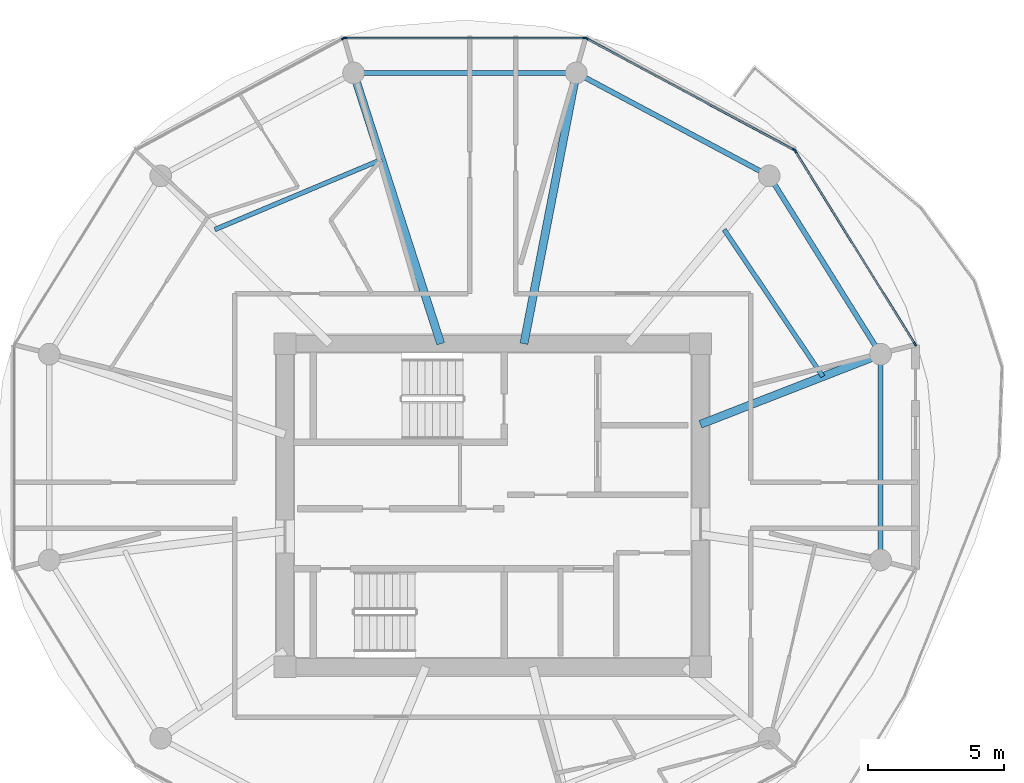
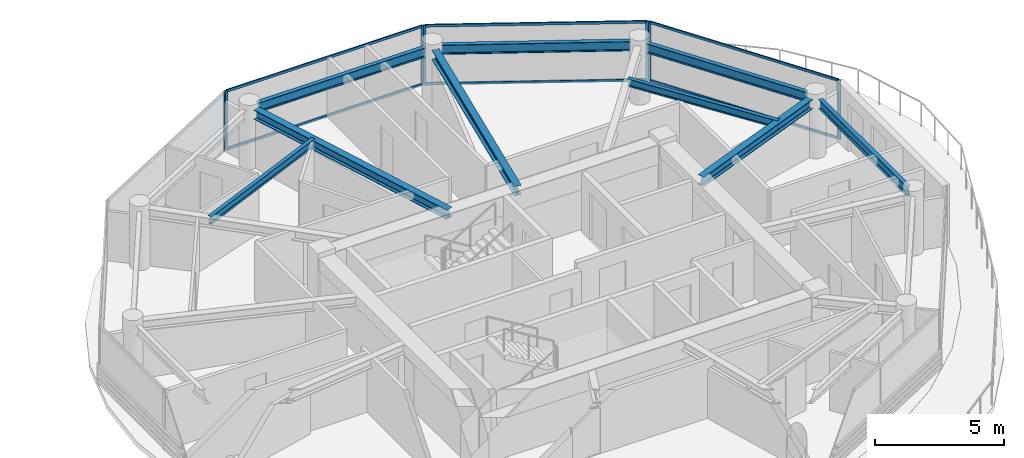
# One storey, part 11 of 23: 13 members, 9 beams, 4 elements without a shape of their own.
"""IFC4 building model written with IfcOpenShell, lengths in metres."""

import ifcopenshell
import ifcopenshell.guid

model = None  # the IFC model being written
_history = None  # IfcOwnerHistory: only IFC2X3 demands one
_inside = {}  # id of a spatial element -> (the spatial element, [elements in it])
_under = {}  # id of a project, library or spatial element -> (it, [spatial elements below it])
_declared = {}  # id of a project -> (the project, [libraries it declares])
_typed = {}  # id of a type object -> (the type object, [elements of that type])
_made_of = {}  # id of a material, layer set ... -> (it, [elements and type objects made of it])


def new_model(schema):
    """Start an empty IFC model of exactly this schema.

    Asked for "IFC4X3", IfcOpenShell would pick the latest addendum, in which some entities
    have other attributes; the version numbers below select the first issue.
    IFC2X3 requires an IfcOwnerHistory on every rooted entity: one is made here for all.
    """
    global model, _history
    if schema == "IFC4X3":
        model = ifcopenshell.file(schema_version=(4, 3, 0, 0))
    else:
        model = ifcopenshell.file(schema=schema)
    _inside.clear()
    _under.clear()
    _declared.clear()
    _typed.clear()
    _made_of.clear()
    _history = None
    if model.schema == "IFC2X3":
        org = make("IfcOrganization", Name="unknown")
        user = make(
            "IfcPersonAndOrganization",
            ThePerson=make("IfcPerson", FamilyName="unknown"),
            TheOrganization=org,
        )
        app = make(
            "IfcApplication",
            ApplicationDeveloper=org,
            Version="unknown",
            ApplicationFullName="unknown",
            ApplicationIdentifier="unknown",
        )
        _history = make(
            "IfcOwnerHistory",
            OwningUser=user,
            OwningApplication=app,
            ChangeAction="ADDED",
            CreationDate=0,
        )
    return model


def make(cls, **values):
    """One entity of the class cls with the attributes given. An attribute that is None is left unset."""
    return model.create_entity(
        cls, **{name: value for name, value in values.items() if value is not None}
    )


def rooted(cls, **values):
    """An entity with a GlobalId (a new one), such as an element, a storey or a relation."""
    return make(cls, GlobalId=ifcopenshell.guid.new(), OwnerHistory=_history, **values)


def si_unit(unit_type, name, prefix=None):
    """IfcSIUnit, for example si_unit("LENGTHUNIT", "METRE", prefix="MILLI")."""
    return make("IfcSIUnit", UnitType=unit_type, Prefix=prefix, Name=name)


def assignment(units):
    """IfcUnitAssignment: the units of a project."""
    return None if units is None else make("IfcUnitAssignment", Units=units)


def point(xyz):
    """IfcCartesianPoint."""
    return None if xyz is None else make("IfcCartesianPoint", Coordinates=xyz)


def direction(xyz):
    """IfcDirection."""
    return None if xyz is None else make("IfcDirection", DirectionRatios=xyz)


def frame(location, z_axis=None, x_axis=None):
    """IfcAxis2Placement3D, a coordinate frame: its origin and axes. An axis left out is left unset."""
    return make(
        "IfcAxis2Placement3D",
        Location=point(location),
        Axis=direction(z_axis),
        RefDirection=direction(x_axis),
    )


def frame_2d(location, x_axis=None):
    """IfcAxis2Placement2D, a coordinate frame in the plane: its origin and x axis."""
    return make(
        "IfcAxis2Placement2D", Location=point(location), RefDirection=direction(x_axis)
    )


def origin():
    """The frame at (0, 0, 0) with its axes left unset."""
    return frame((0.0, 0.0, 0.0))


def origin_2d():
    """The frame at (0, 0) in the plane with its x axis left unset."""
    return frame_2d((0.0, 0.0))


def place(relative_to, where):
    """IfcLocalPlacement: puts the frame where relative to a parent placement (None: the world)."""
    return make(
        "IfcLocalPlacement", PlacementRelTo=relative_to, RelativePlacement=where
    )


def context(
    kind, dimensions, precision=None, world=None, true_north=None, identifier=None
):
    """IfcGeometricRepresentationContext, for example the 3D "Model" context."""
    return make(
        "IfcGeometricRepresentationContext",
        ContextIdentifier=identifier,
        ContextType=kind,
        CoordinateSpaceDimension=dimensions,
        Precision=precision,
        WorldCoordinateSystem=world,
        TrueNorth=true_north,
    )


def subcontext(parent, identifier, kind, view, scale=None):
    """IfcGeometricRepresentationSubContext, for example "Body" below "Model"."""
    return make(
        "IfcGeometricRepresentationSubContext",
        ContextIdentifier=identifier,
        ContextType=kind,
        ParentContext=parent,
        TargetScale=scale,
        TargetView=view,
    )


def project(units=None, contexts=None):
    """IfcProject with its units and contexts."""
    return rooted(
        "IfcProject",
        Name="project",
        RepresentationContexts=contexts,
        UnitsInContext=assignment(units),
    )


def spatial(cls, under=None, at=None, **own):
    """A site, building, storey or space (cls), placed at a placement, below another one or the project."""
    s = rooted(cls, ObjectPlacement=at, **own)
    if under is not None:
        _under.setdefault(under.id(), (under, []))[1].append(s)
    return s


def profile(cls, at=None, kind="AREA", **sizes):
    """A parametric profile (cls). Its sizes go by their IFC names, for example OverallWidth=200.0."""
    return make(cls, ProfileType=kind, Position=at, **sizes)


def rectangle(**sizes):
    """IfcRectangleProfileDef."""
    return profile("IfcRectangleProfileDef", **sizes)


def i_section(**sizes):
    """IfcIShapeProfileDef."""
    return profile("IfcIShapeProfileDef", **sizes)


def extrude(swept, where, along, depth):
    """IfcExtrudedAreaSolid: the profile swept, set in the frame where, extruded along a direction by depth."""
    return make(
        "IfcExtrudedAreaSolid",
        SweptArea=swept,
        Position=where,
        ExtrudedDirection=direction(along),
        Depth=depth,
    )


def shape(context_of_items, identifier, shape_type, items):
    """IfcShapeRepresentation: the items that make up one representation, for example the "Body"."""
    return make(
        "IfcShapeRepresentation",
        ContextOfItems=context_of_items,
        RepresentationIdentifier=identifier,
        RepresentationType=shape_type,
        Items=items,
    )


def source(mapping_origin, context_of_items, identifier, shape_type, items):
    """IfcRepresentationMap: a shape defined once, which mapped items show again and again."""
    return make(
        "IfcRepresentationMap",
        MappingOrigin=mapping_origin,
        MappedRepresentation=shape(context_of_items, identifier, shape_type, items),
    )


def transform(
    local_origin,
    x_axis=None,
    y_axis=None,
    z_axis=None,
    scale=None,
    scale2=None,
    scale3=None,
    uniform=True,
):
    """IfcCartesianTransformationOperator3D, or its non-uniform kind. x_axis, y_axis, z_axis: its Axis1, 2, 3."""
    if uniform:
        return make(
            "IfcCartesianTransformationOperator3D",
            Axis1=direction(x_axis),
            Axis2=direction(y_axis),
            LocalOrigin=point(local_origin),
            Scale=scale,
            Axis3=direction(z_axis),
        )
    return make(
        "IfcCartesianTransformationOperator3DnonUniform",
        Axis1=direction(x_axis),
        Axis2=direction(y_axis),
        LocalOrigin=point(local_origin),
        Scale=scale,
        Axis3=direction(z_axis),
        Scale2=scale2,
        Scale3=scale3,
    )


def mapped(mapping_source, mapping_target):
    """IfcMappedItem: shows the shape of a source again, moved by a transform."""
    return make(
        "IfcMappedItem", MappingSource=mapping_source, MappingTarget=mapping_target
    )


def material(Name=None, Category=None):
    """IfcMaterial."""
    return make("IfcMaterial", Name=Name, Category=Category)


def layer(
    of_material, thickness, ventilated=None, Name=None, Category=None, Priority=None
):
    """IfcMaterialLayer: one layer of a wall or slab, of a material (None: an air gap)."""
    return make(
        "IfcMaterialLayer",
        Material=of_material,
        LayerThickness=thickness,
        IsVentilated=ventilated,
        Name=Name,
        Category=Category,
        Priority=Priority,
    )


def layer_set(layers, Name=None):
    """IfcMaterialLayerSet."""
    return make("IfcMaterialLayerSet", MaterialLayers=layers, LayerSetName=Name)


def material_profile(
    of_material, cross_section, Name=None, Category=None, Priority=None
):
    """IfcMaterialProfile: a cross section and its material."""
    return make(
        "IfcMaterialProfile",
        Name=Name,
        Material=of_material,
        Profile=cross_section,
        Priority=Priority,
        Category=Category,
    )


def profile_set(profiles, Name=None, composite=None):
    """IfcMaterialProfileSet."""
    return make(
        "IfcMaterialProfileSet",
        Name=Name,
        MaterialProfiles=profiles,
        CompositeProfile=composite,
    )


def made_of(thing, what):
    """Note that an element or type object is made of a material, layer set ...; save() writes the relation."""
    if what is not None:
        _made_of.setdefault(what.id(), (what, []))[1].append(thing)
    return thing


def type_object(cls, material=None, **own):
    """A type object (cls), such as IfcWallType, which elements share."""
    return made_of(rooted(cls, **own), material)


def type_shapes(of_type, sources):
    """Give a type object the sources (RepresentationMaps) that its elements show as mapped items."""
    of_type.RepresentationMaps = sources


def element(
    cls,
    number,
    at=None,
    inside=None,
    cuts=None,
    type_object=None,
    material=None,
    context=None,
    identifier="Body",
    shape_type=None,
    held_by="IfcProductDefinitionShape",
    body=None,
    shapes=None,
    **own,
):
    """One element of the class cls, such as IfcWall. Its Tag is "e" and its number.

    at: its placement. inside: the storey or other place that contains it. cuts: it is an
    opening in that element (IfcRelVoidsElement). A single representation is given by context,
    identifier, shape_type and body (its items); several are given by shapes. held_by: the class
    of the entity that holds the representations. save() writes the other relations.
    """
    e = rooted(cls, Tag="e%d" % number, ObjectPlacement=at, **own)
    if body is not None:
        shapes = [shape(context, identifier, shape_type, body)]
    if shapes is not None:
        e.Representation = make(held_by, Representations=shapes)
    if inside is not None:
        _inside.setdefault(inside.id(), (inside, []))[1].append(e)
    if cuts is not None:
        rooted(
            "IfcRelVoidsElement", RelatingBuildingElement=cuts, RelatedOpeningElement=e
        )
    if type_object is not None:
        _typed.setdefault(type_object.id(), (type_object, []))[1].append(e)
    return made_of(e, material)


def aggregate(whole, parts):
    """IfcRelAggregates: a whole, such as a stair, and the parts it consists of."""
    return rooted("IfcRelAggregates", RelatingObject=whole, RelatedObjects=parts)


def save(model, path):
    """Write the relations noted so far, then the file.

    IfcRelAggregates (storeys below a building ...), IfcRelContainedInSpatialStructure (elements
    in a storey), IfcRelDefinesByType, IfcRelAssociatesMaterial and IfcRelDeclares: one each for
    every whole, place, type object, material and project.
    """
    for whole, parts in _under.values():
        aggregate(whole, parts)
    for where, things in _inside.values():
        rooted(
            "IfcRelContainedInSpatialStructure",
            RelatedElements=things,
            RelatingStructure=where,
        )
    for kind, things in _typed.values():
        rooted("IfcRelDefinesByType", RelatedObjects=things, RelatingType=kind)
    for what, things in _made_of.values():
        rooted("IfcRelAssociatesMaterial", RelatedObjects=things, RelatingMaterial=what)
    for by, libraries in _declared.values():
        rooted("IfcRelDeclares", RelatingContext=by, RelatedDefinitions=libraries)
    model.write(path)


model = new_model("IFC4")

# Units and contexts
model_context = context("Model", 3, precision=1e-05, world=origin(), true_north=direction((0.0, 1.0)))
body_context = subcontext(model_context, "Body", "Model", "MODEL_VIEW")
ifc_project = project(units=[si_unit("LENGTHUNIT", "METRE"), si_unit("AREAUNIT", "SQUARE_METRE"), si_unit("VOLUMEUNIT", "CUBIC_METRE"), si_unit("PLANEANGLEUNIT", "RADIAN"), si_unit("MASSUNIT", "GRAM", prefix="KILO")], contexts=[model_context])

# Site, building, storey
site_placement = place(None, origin())
site = spatial("IfcSite", under=ifc_project, at=site_placement, CompositionType="ELEMENT")
building_placement = place(site_placement, origin())
building = spatial("IfcBuilding", under=site, at=building_placement, Name="Norrkilde Senior Care Towers", CompositionType="ELEMENT")
storey_placement = place(building_placement, frame((0.0, 0.0, 158.699951171875)))
storey = spatial("IfcBuildingStorey", under=building, at=storey_placement, Name="L49", CompositionType="ELEMENT", Elevation=158.699951171875)

# Beams
ifc_material_1 = material(Name="Steel S355", Category="steel")
ifc_material_profile_1 = material_profile(ifc_material_1, i_section(OverallWidth=0.18994140625, OverallDepth=0.449951171875, WebThickness=0.009521484375, FlangeThickness=0.0146484375, FilletRadius=0.02099609375, at=origin_2d()), Name="IPE 450")
ifc_profile_set_1 = profile_set([ifc_material_profile_1], Name="Steel S355")
beam_type_1 = type_object("IfcBeamType", Name="Perimeter Ring Spandrel Z3 IPE450", PredefinedType="SPANDREL", material=ifc_profile_set_1)
shared_shape_1 = source(origin(), body_context, "Body", "SweptSolid", [
    extrude(i_section(OverallWidth=0.18994140625, OverallDepth=0.449951171875, WebThickness=0.009521484375, FlangeThickness=0.0146484375, FilletRadius=0.02099609375, at=origin_2d()), origin(), (0.0, 0.0, 1.0), 7.0234375),
])
beam_1_placement = place(storey_placement, frame((42.09423828125, 5.872314453125, 2.5849609375), z_axis=(-0.529789577822, 0.848129119433, 0.0), x_axis=(-0.848129119433, -0.529789577822, 0.0)))
element("IfcBeam", 1, at=beam_1_placement, inside=storey, type_object=beam_type_1, Name="L49 Drum E Perimeter Spandrel 01", PredefinedType="SPANDREL", context=body_context, shape_type="MappedRepresentation", body=[
    mapped(shared_shape_1, transform((0.0, 0.0, 0.0), x_axis=(1.0, 0.0, 0.0), y_axis=(0.0, 1.0, 0.0), z_axis=(0.0, 0.0, 1.0), scale=1.0)),
])
shared_shape_2 = source(origin(), body_context, "Body", "SweptSolid", [
    extrude(i_section(OverallWidth=0.18994140625, OverallDepth=0.449951171875, WebThickness=0.009521484375, FlangeThickness=0.0146484375, FilletRadius=0.02099609375, at=origin_2d()), origin(), (0.0, 0.0, 1.0), 7.333740234375),
])
beam_2_placement = place(storey_placement, frame((37.864990234375, 12.303955078125, 2.5849609375), z_axis=(-0.882247866069, 0.470785198172, 0.0), x_axis=(-0.470785198172, -0.882247866069, 0.0)))
element("IfcBeam", 2, at=beam_2_placement, inside=storey, type_object=beam_type_1, Name="L49 Drum E Perimeter Spandrel 02", PredefinedType="SPANDREL", context=body_context, shape_type="MappedRepresentation", body=[
    mapped(shared_shape_2, transform((0.0, 0.0, 0.0), x_axis=(1.0, 0.0, 0.0), y_axis=(0.0, 1.0, 0.0), z_axis=(0.0, 0.0, 1.0), scale=1.0)),
])
shared_shape_3 = source(origin(), body_context, "Body", "SweptSolid", [
    extrude(i_section(OverallWidth=0.18994140625, OverallDepth=0.449951171875, WebThickness=0.009521484375, FlangeThickness=0.0146484375, FilletRadius=0.02099609375, at=origin_2d()), origin(), (0.0, 0.0, 1.0), 7.484619140625),
])
beam_3_placement = place(storey_placement, frame((30.71728515625, 15.92626953125, 2.5849609375), z_axis=(-1.0, 0.0, 0.0), x_axis=(0.0, -1.0, 0.0)))
element("IfcBeam", 3, at=beam_3_placement, inside=storey, type_object=beam_type_1, Name="L49 Drum E Perimeter Spandrel 03", PredefinedType="SPANDREL", context=body_context, shape_type="MappedRepresentation", body=[
    mapped(shared_shape_3, transform((0.0, 0.0, 0.0), x_axis=(1.0, 0.0, 0.0), y_axis=(0.0, 1.0, 0.0), z_axis=(0.0, 0.0, 1.0), scale=1.0)),
])
ifc_material_profile_2 = material_profile(ifc_material_1, i_section(OverallWidth=0.300048828125, OverallDepth=0.449951171875, WebThickness=0.013916015625, FlangeThickness=0.02587890625, FilletRadius=0.027099609375, at=origin_2d()), Name="HEB 450")
ifc_profile_set_2 = profile_set([ifc_material_profile_2], Name="Steel S355")
beam_type_2 = type_object("IfcBeamType", Name="Radial Floor Beam Z3 HEB450", PredefinedType="BEAM", material=ifc_profile_set_2)
shared_shape_4 = source(origin(), body_context, "Body", "SweptSolid", [
    extrude(i_section(OverallWidth=0.300048828125, OverallDepth=0.449951171875, WebThickness=0.013916015625, FlangeThickness=0.02587890625, FilletRadius=0.027099609375, at=origin_2d()), origin(), (0.0, 0.0, 1.0), 10.120361328125),
])
beam_4_placement = place(storey_placement, frame((26.08447265625, 5.949951171875, 2.5849609375), z_axis=(-0.306440973744, 0.951889662519, 0.0), x_axis=(-0.951889662519, -0.306440973744, 0.0)))
element("IfcBeam", 4, at=beam_4_placement, inside=storey, type_object=beam_type_2, Name="L49 Drum E Radial Floor Beam 04", PredefinedType="BEAM", context=body_context, shape_type="MappedRepresentation", body=[
    mapped(shared_shape_4, transform((0.0, 0.0, 0.0), x_axis=(1.0, 0.0, 0.0), y_axis=(0.0, 1.0, 0.0), z_axis=(0.0, 0.0, 1.0), scale=1.0)),
])
shared_shape_5 = source(origin(), body_context, "Body", "SweptSolid", [
    extrude(i_section(OverallWidth=0.300048828125, OverallDepth=0.449951171875, WebThickness=0.013916015625, FlangeThickness=0.02587890625, FilletRadius=0.027099609375, at=origin_2d()), origin(), (0.0, 0.0, 1.0), 9.80078125),
])
beam_5_placement = place(storey_placement, frame((29.149658203125, 5.949951171875, 2.5849609375), z_axis=(0.189716727661, 0.98183886827, 0.0), x_axis=(-0.98183886827, 0.189716727661, 0.0)))
element("IfcBeam", 5, at=beam_5_placement, inside=storey, type_object=beam_type_2, Name="L49 Drum E Radial Floor Beam 03", PredefinedType="BEAM", context=body_context, shape_type="MappedRepresentation", body=[
    mapped(shared_shape_5, transform((0.0, 0.0, 0.0), x_axis=(1.0, 0.0, 0.0), y_axis=(0.0, 1.0, 0.0), z_axis=(0.0, 0.0, 1.0), scale=1.0)),
])
shared_shape_6 = source(origin(), body_context, "Body", "SweptSolid", [
    extrude(i_section(OverallWidth=0.18994140625, OverallDepth=0.449951171875, WebThickness=0.009521484375, FlangeThickness=0.0146484375, FilletRadius=0.02099609375, at=origin_2d()), origin(), (0.0, 0.0, 1.0), 6.86328125),
])
type_shapes(beam_type_1, [shared_shape_1, shared_shape_2, shared_shape_3, shared_shape_6])
beam_6_placement = place(storey_placement, frame((42.284912109375, -1.65625, 2.5849609375), z_axis=(0.0, 1.0, 0.0), x_axis=(-1.0, 0.0, 0.0)))
element("IfcBeam", 6, at=beam_6_placement, inside=storey, type_object=beam_type_1, Name="L49 Drum E Perimeter Spandrel 12", PredefinedType="SPANDREL", context=body_context, shape_type="MappedRepresentation", body=[
    mapped(shared_shape_6, transform((0.0, 0.0, 0.0), x_axis=(1.0, 0.0, 0.0), y_axis=(0.0, 1.0, 0.0), z_axis=(0.0, 0.0, 1.0), scale=1.0)),
])
shared_shape_7 = source(origin(), body_context, "Body", "SweptSolid", [
    extrude(i_section(OverallWidth=0.300048828125, OverallDepth=0.449951171875, WebThickness=0.013916015625, FlangeThickness=0.02587890625, FilletRadius=0.027099609375, at=origin_2d()), origin(), (0.0, 0.0, 1.0), 6.760986328125),
])
type_shapes(beam_type_2, [shared_shape_4, shared_shape_5, shared_shape_7])
beam_7_placement = place(storey_placement, frame((35.64990234375, 2.981201171875, 2.5849609375), z_axis=(0.931742171387, 0.363120539297, 0.0), x_axis=(-0.363120539297, 0.931742171387, 0.0)))
element("IfcBeam", 7, at=beam_7_placement, inside=storey, type_object=beam_type_2, Name="L49 Drum E Radial Floor Beam 01", PredefinedType="BEAM", context=body_context, shape_type="MappedRepresentation", body=[
    mapped(shared_shape_7, transform((0.0, 0.0, 0.0), x_axis=(1.0, 0.0, 0.0), y_axis=(0.0, 1.0, 0.0), z_axis=(0.0, 0.0, 1.0), scale=1.0)),
])
ifc_material_profile_3 = material_profile(ifc_material_1, i_section(OverallWidth=0.169921875, OverallDepth=0.360107421875, WebThickness=0.008056640625, FlangeThickness=0.0126953125, FilletRadius=0.01806640625, at=origin_2d()), Name="IPE 360")
ifc_profile_set_3 = profile_set([ifc_material_profile_3], Name="Steel S355")
beam_type_3 = type_object("IfcBeamType", Name="Secondary Floor Joist IPE360", PredefinedType="JOIST", material=ifc_profile_set_3)
shared_shape_8 = source(origin(), body_context, "Body", "SweptSolid", [
    extrude(i_section(OverallWidth=0.169921875, OverallDepth=0.360107421875, WebThickness=0.008056640625, FlangeThickness=0.0126953125, FilletRadius=0.01806640625, at=origin_2d()), origin(), (0.0, 0.0, 1.0), 6.657470703125),
])
beam_8_placement = place(storey_placement, frame((23.900390625, 12.73388671875, 2.630126953125), z_axis=(-0.921958799252, -0.387287971, 0.0), x_axis=(0.387287971, -0.921958799252, 0.0)))
element("IfcBeam", 8, at=beam_8_placement, inside=storey, type_object=beam_type_3, Name="L49 Drum E Secondary Floor Joist 2", PredefinedType="JOIST", context=body_context, shape_type="MappedRepresentation", body=[
    mapped(shared_shape_8, transform((0.0, 0.0, 0.0), x_axis=(1.0, 0.0, 0.0), y_axis=(0.0, 1.0, 0.0), z_axis=(0.0, 0.0, 1.0), scale=1.0)),
])
shared_shape_9 = source(origin(), body_context, "Body", "SweptSolid", [
    extrude(i_section(OverallWidth=0.169921875, OverallDepth=0.360107421875, WebThickness=0.008056640625, FlangeThickness=0.0126953125, FilletRadius=0.01806640625, at=origin_2d()), origin(), (0.0, 0.0, 1.0), 6.525390625),
])
type_shapes(beam_type_3, [shared_shape_8, shared_shape_9])
beam_9_placement = place(storey_placement, frame((40.161865234375, 4.739501953125, 2.630126953125), z_axis=(-0.55779590102, 0.829978152005, 0.0), x_axis=(-0.829978152005, -0.55779590102, 0.0)))
element("IfcBeam", 9, at=beam_9_placement, inside=storey, type_object=beam_type_3, Name="L49 Drum E Secondary Floor Joist 1", PredefinedType="JOIST", context=body_context, shape_type="MappedRepresentation", body=[
    mapped(shared_shape_9, transform((0.0, 0.0, 0.0), x_axis=(1.0, 0.0, 0.0), y_axis=(0.0, 1.0, 0.0), z_axis=(0.0, 0.0, 1.0), scale=1.0)),
])

# Curtain wall, members
ifc_material_2 = material(Name="Triple Low-E Insulated Glazing", Category="glass")
ifc_layer = layer(ifc_material_2, 0.18994140625)
ifc_layer_set = layer_set([ifc_layer], Name="Triple Low-E Insulated Glazing")
curtain_wall_type = type_object("IfcCurtainWallType", Name="CW4 Zone 3 Senior Residence Curtain Wall", PredefinedType="NOTDEFINED", material=ifc_layer_set)
curtain_wall_1_placement = place(storey_placement, origin())
curtain_wall_1 = element("IfcCurtainWall", 10, at=curtain_wall_1_placement, inside=storey, type_object=curtain_wall_type, Name="L49 Drum E Curtain Wall 00", PredefinedType="NOTDEFINED")
ifc_material_3 = material(Name="Anodised Aluminium", Category="aluminium")
ifc_material_profile_4 = material_profile(ifc_material_3, rectangle(XDim=0.06494140625, YDim=0.14990234375, at=origin_2d()), Name="ALU MULL 65x150")
ifc_profile_set_4 = profile_set([ifc_material_profile_4], Name="Anodised Aluminium")
member_type_1 = type_object("IfcMemberType", Name="Curtain Wall Mullion Z3-Z4 65x150", PredefinedType="MULLION", material=ifc_profile_set_4)
shared_shape_10 = source(origin(), body_context, "Body", "SweptSolid", [
    extrude(rectangle(XDim=0.06494140625, YDim=0.14990234375, at=origin_2d()), origin(), (0.0, 0.0, 1.0), 2.81005859375),
])
type_shapes(member_type_1, [shared_shape_10])
member_1_placement = place(storey_placement, frame((39.14013671875, 13.04736328125, 0.0), z_axis=(0.0, 0.0, 1.0), x_axis=(0.84963405474, 0.52737270789, 0.0)))
member_1 = element("IfcMember", 11, at=member_1_placement, type_object=member_type_1, Name="CW-4 mullion 1", PredefinedType="MULLION", context=body_context, shape_type="MappedRepresentation", body=[
    mapped(shared_shape_10, transform((0.0, 0.0, 0.0), x_axis=(1.0, 0.0, 0.0), y_axis=(0.0, 1.0, 0.0), z_axis=(0.0, 0.0, 1.0), scale=1.0)),
])
member_2_placement = place(storey_placement, frame((43.552490234375, 5.93896484375, 0.0), z_axis=(0.0, 0.0, 1.0), x_axis=(0.84963405474, 0.52737270789, 0.0)))
member_2 = element("IfcMember", 12, at=member_2_placement, type_object=member_type_1, Name="CW-4 mullion 2", PredefinedType="MULLION", context=body_context, shape_type="MappedRepresentation", body=[
    mapped(shared_shape_10, transform((0.0, 0.0, 0.0), x_axis=(1.0, 0.0, 0.0), y_axis=(0.0, 1.0, 0.0), z_axis=(0.0, 0.0, 1.0), scale=1.0)),
])

curtain_wall_2_placement = place(storey_placement, origin())
curtain_wall_2 = element("IfcCurtainWall", 13, at=curtain_wall_2_placement, inside=storey, type_object=curtain_wall_type, Name="L49 Drum E Curtain Wall 01", PredefinedType="NOTDEFINED")
member_3_placement = place(storey_placement, frame((31.4501953125, 17.195556640625, 0.0), z_axis=(0.0, 0.0, 1.0), x_axis=(0.47311715104, 0.880999524059, 0.0)))
member_3 = element("IfcMember", 14, at=member_3_placement, type_object=member_type_1, Name="CW-4 mullion 1", PredefinedType="MULLION", context=body_context, shape_type="MappedRepresentation", body=[
    mapped(shared_shape_10, transform((0.0, 0.0, 0.0), x_axis=(1.0, 0.0, 0.0), y_axis=(0.0, 1.0, 0.0), z_axis=(0.0, 0.0, 1.0), scale=1.0)),
])
member_4_placement = place(storey_placement, frame((39.094482421875, 13.09033203125, 0.0), z_axis=(0.0, 0.0, 1.0), x_axis=(0.47311715104, 0.880999524059, 0.0)))
member_4 = element("IfcMember", 15, at=member_4_placement, type_object=member_type_1, Name="CW-4 mullion 2", PredefinedType="MULLION", context=body_context, shape_type="MappedRepresentation", body=[
    mapped(shared_shape_10, transform((0.0, 0.0, 0.0), x_axis=(1.0, 0.0, 0.0), y_axis=(0.0, 1.0, 0.0), z_axis=(0.0, 0.0, 1.0), scale=1.0)),
])

curtain_wall_3_placement = place(storey_placement, origin())
curtain_wall_3 = element("IfcCurtainWall", 16, at=curtain_wall_3_placement, inside=storey, type_object=curtain_wall_type, Name="L49 Drum E Curtain Wall 02", PredefinedType="NOTDEFINED")
member_5_placement = place(storey_placement, frame((22.56103515625, 17.2109375, 0.0), z_axis=(0.0, 0.0, 1.0), x_axis=(0.0, 1.0, 0.0)))
member_5 = element("IfcMember", 17, at=member_5_placement, type_object=member_type_1, Name="CW-4 mullion 1", PredefinedType="MULLION", context=body_context, shape_type="MappedRepresentation", body=[
    mapped(shared_shape_10, transform((0.0, 0.0, 0.0), x_axis=(1.0, 0.0, 0.0), y_axis=(0.0, 1.0, 0.0), z_axis=(0.0, 0.0, 1.0), scale=1.0)),
])
member_6_placement = place(storey_placement, frame((31.388916015625, 17.2109375, 0.0), z_axis=(0.0, 0.0, 1.0), x_axis=(0.0, 1.0, 0.0)))
member_6 = element("IfcMember", 18, at=member_6_placement, type_object=member_type_1, Name="CW-4 mullion 2", PredefinedType="MULLION", context=body_context, shape_type="MappedRepresentation", body=[
    mapped(shared_shape_10, transform((0.0, 0.0, 0.0), x_axis=(1.0, 0.0, 0.0), y_axis=(0.0, 1.0, 0.0), z_axis=(0.0, 0.0, 1.0), scale=1.0)),
])

# Curtain wall, member
curtain_wall_4_placement = place(storey_placement, origin())
curtain_wall_4 = element("IfcCurtainWall", 19, at=curtain_wall_4_placement, inside=storey, type_object=curtain_wall_type, Name="L49 Drum E Curtain Wall 03", PredefinedType="NOTDEFINED")
member_7_placement = place(storey_placement, frame((22.499755859375, 17.195556640625, 0.0), z_axis=(0.0, 0.0, 1.0), x_axis=(-0.47311715104, 0.880999524059, 0.0)))
member_7 = element("IfcMember", 20, at=member_7_placement, type_object=member_type_1, Name="CW-4 mullion 2", PredefinedType="MULLION", context=body_context, shape_type="MappedRepresentation", body=[
    mapped(shared_shape_10, transform((0.0, 0.0, 0.0), x_axis=(1.0, 0.0, 0.0), y_axis=(0.0, 1.0, 0.0), z_axis=(0.0, 0.0, 1.0), scale=1.0)),
])
aggregate(curtain_wall_4, [member_7])

# Member
ifc_material_profile_5 = material_profile(ifc_material_3, rectangle(XDim=0.06005859375, YDim=0.1201171875, at=origin_2d()), Name="ALU TRAN 60x120")
ifc_profile_set_5 = profile_set([ifc_material_profile_5], Name="Anodised Aluminium")
member_type_2 = type_object("IfcMemberType", Name="Curtain Wall Transom Typical 60x120", PredefinedType="USERDEFINED", material=ifc_profile_set_5)
shared_shape_11 = source(origin(), body_context, "Body", "SweptSolid", [
    extrude(rectangle(XDim=0.06005859375, YDim=0.1201171875, at=origin_2d()), origin(), (0.0, 0.0, 1.0), 8.301513671875),
])
member_8_placement = place(storey_placement, frame((39.157470703125, 13.019775390625, 0.030029296875), z_axis=(0.527368718394, -0.849636531029, 0.0), x_axis=(0.849636531029, 0.527368718394, 0.0)))
member_8 = element("IfcMember", 21, at=member_8_placement, type_object=member_type_2, Name="CW-4 transom 1.1", ObjectType="TRANSOM", PredefinedType="USERDEFINED", context=body_context, shape_type="MappedRepresentation", body=[
    mapped(shared_shape_11, transform((0.0, 0.0, 0.0), x_axis=(1.0, 0.0, 0.0), y_axis=(0.0, 1.0, 0.0), z_axis=(0.0, 0.0, 1.0), scale=1.0)),
])

member_9_placement = place(storey_placement, frame((39.157470703125, 13.019775390625, 2.780029296875), z_axis=(0.527368718394, -0.849636531029, 0.0), x_axis=(0.849636531029, 0.527368718394, 0.0)))
member_9 = element("IfcMember", 22, at=member_9_placement, type_object=member_type_2, Name="CW-4 transom 1.2", ObjectType="TRANSOM", PredefinedType="USERDEFINED", context=body_context, shape_type="MappedRepresentation", body=[
    mapped(shared_shape_11, transform((0.0, 0.0, 0.0), x_axis=(1.0, 0.0, 0.0), y_axis=(0.0, 1.0, 0.0), z_axis=(0.0, 0.0, 1.0), scale=1.0)),
])

aggregate(curtain_wall_1, [member_1, member_2, member_8, member_9])

shared_shape_12 = source(origin(), body_context, "Body", "SweptSolid", [
    extrude(rectangle(XDim=0.06005859375, YDim=0.1201171875, at=origin_2d()), origin(), (0.0, 0.0, 1.0), 8.762939453125),
])
member_10_placement = place(storey_placement, frame((22.593505859375, 17.2109375, 0.030029296875), z_axis=(1.0, 0.0, 0.0), x_axis=(0.0, 1.0, 0.0)))
member_10 = element("IfcMember", 23, at=member_10_placement, type_object=member_type_2, Name="CW-4 transom 1.1", ObjectType="TRANSOM", PredefinedType="USERDEFINED", context=body_context, shape_type="MappedRepresentation", body=[
    mapped(shared_shape_12, transform((0.0, 0.0, 0.0), x_axis=(1.0, 0.0, 0.0), y_axis=(0.0, 1.0, 0.0), z_axis=(0.0, 0.0, 1.0), scale=1.0)),
])

member_11_placement = place(storey_placement, frame((22.593505859375, 17.2109375, 2.780029296875), z_axis=(1.0, 0.0, 0.0), x_axis=(0.0, 1.0, 0.0)))
member_11 = element("IfcMember", 24, at=member_11_placement, type_object=member_type_2, Name="CW-4 transom 1.2", ObjectType="TRANSOM", PredefinedType="USERDEFINED", context=body_context, shape_type="MappedRepresentation", body=[
    mapped(shared_shape_12, transform((0.0, 0.0, 0.0), x_axis=(1.0, 0.0, 0.0), y_axis=(0.0, 1.0, 0.0), z_axis=(0.0, 0.0, 1.0), scale=1.0)),
])

aggregate(curtain_wall_3, [member_5, member_6, member_10, member_11])

shared_shape_13 = source(origin(), body_context, "Body", "SweptSolid", [
    extrude(rectangle(XDim=0.06005859375, YDim=0.1201171875, at=origin_2d()), origin(), (0.0, 0.0, 1.0), 8.612060546875),
])
type_shapes(member_type_2, [shared_shape_11, shared_shape_12, shared_shape_13])
member_12_placement = place(storey_placement, frame((31.478759765625, 17.18017578125, 0.030029296875), z_axis=(0.881000337462, -0.473115636384, 0.0), x_axis=(0.473115636384, 0.881000337462, 0.0)))
member_12 = element("IfcMember", 25, at=member_12_placement, type_object=member_type_2, Name="CW-4 transom 1.1", ObjectType="TRANSOM", PredefinedType="USERDEFINED", context=body_context, shape_type="MappedRepresentation", body=[
    mapped(shared_shape_13, transform((0.0, 0.0, 0.0), x_axis=(1.0, 0.0, 0.0), y_axis=(0.0, 1.0, 0.0), z_axis=(0.0, 0.0, 1.0), scale=1.0)),
])

member_13_placement = place(storey_placement, frame((31.478759765625, 17.18017578125, 2.780029296875), z_axis=(0.881000337462, -0.473115636384, 0.0), x_axis=(0.473115636384, 0.881000337462, 0.0)))
member_13 = element("IfcMember", 26, at=member_13_placement, type_object=member_type_2, Name="CW-4 transom 1.2", ObjectType="TRANSOM", PredefinedType="USERDEFINED", context=body_context, shape_type="MappedRepresentation", body=[
    mapped(shared_shape_13, transform((0.0, 0.0, 0.0), x_axis=(1.0, 0.0, 0.0), y_axis=(0.0, 1.0, 0.0), z_axis=(0.0, 0.0, 1.0), scale=1.0)),
])

aggregate(curtain_wall_2, [member_3, member_4, member_12, member_13])

save(model, "model.ifc")
